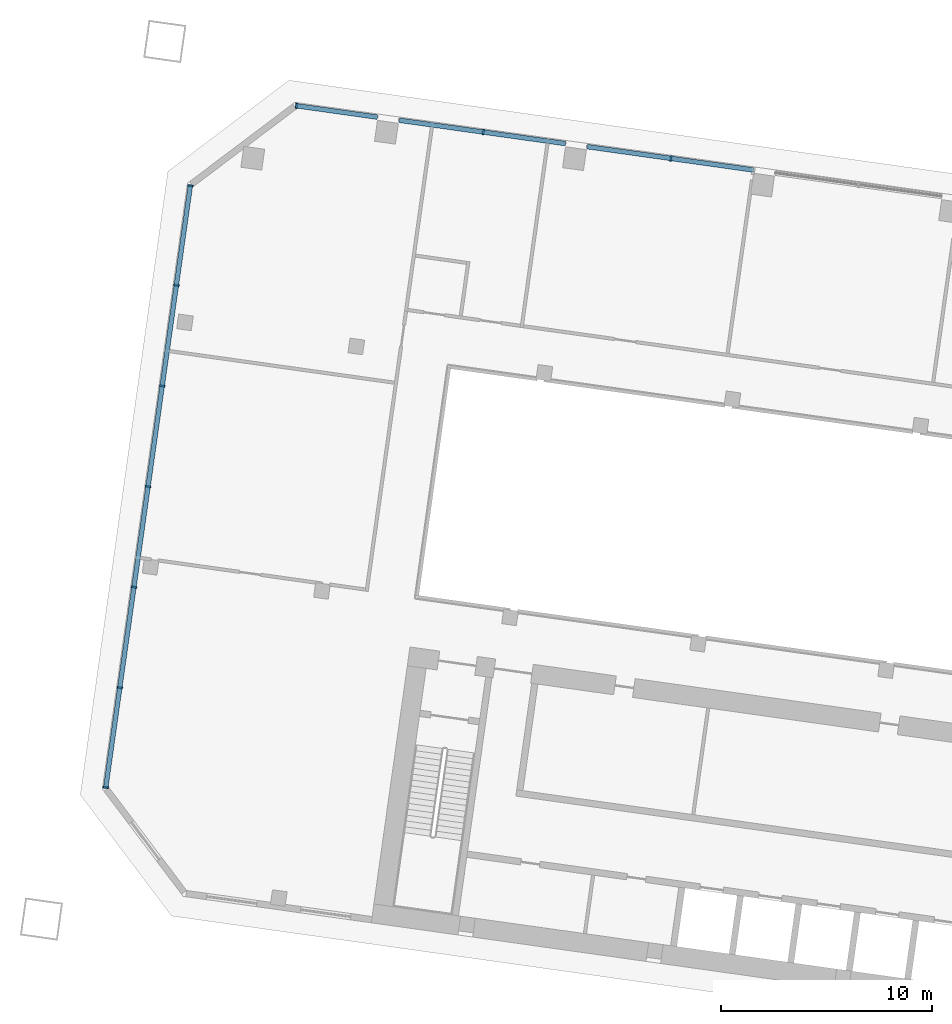
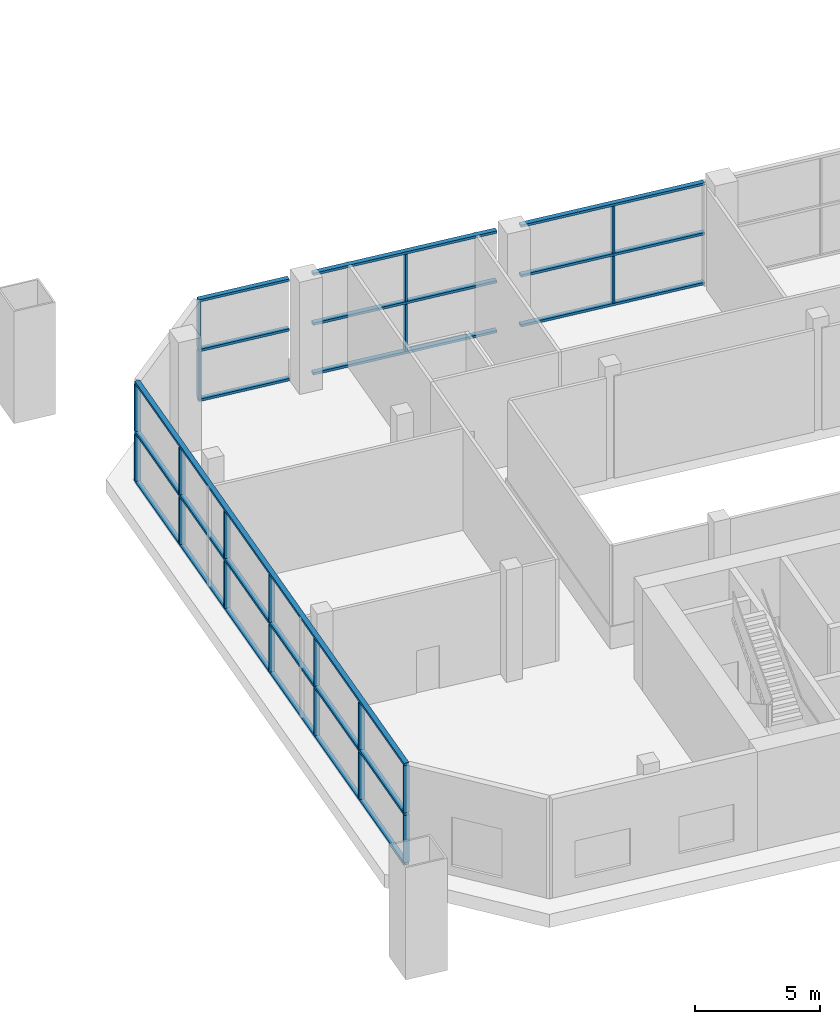
# One storey, part 2 of 23: 32 members, 2 elements without a shape of their own.
"""IFC4 building model written with IfcOpenShell, lengths in metres."""

from ifc_helpers import new_model, si_unit, direction, frame, origin, origin_2d, place, context, subcontext, project, spatial, rectangle, extrude, material, material_profile, profile_set, type_object, element, aggregate, save


model = new_model("IFC4")

# Units and contexts
model_context = context("Model", 3, precision=1e-05, world=origin(), true_north=direction((0.0, 1.0)))
body_context = subcontext(model_context, "Body", "Model", "MODEL_VIEW")
ifc_project = project(units=[si_unit("LENGTHUNIT", "METRE"), si_unit("AREAUNIT", "SQUARE_METRE"), si_unit("VOLUMEUNIT", "CUBIC_METRE"), si_unit("PLANEANGLEUNIT", "RADIAN"), si_unit("MASSUNIT", "GRAM", prefix="KILO")], contexts=[model_context])

# Site, building, storey
site_placement = place(None, origin())
site = spatial("IfcSite", under=ifc_project, at=site_placement, CompositionType="ELEMENT")
building_placement = place(site_placement, origin())
building = spatial("IfcBuilding", under=site, at=building_placement, Name="Mirante Cascada Hotel Towers", CompositionType="ELEMENT")
storey_placement = place(building_placement, frame((0.0, 0.0, 23.5)))
storey = spatial("IfcBuildingStorey", under=building, at=storey_placement, Name="L03", CompositionType="ELEMENT", Elevation=23.5)

# Curtain wall, members
ifc_material_1 = material(Name="Aluminium mullion and transom frame with clear laminated glass", Category="aluminium")
curtain_wall_type = type_object("IfcCurtainWallType", Name="Podium curtain wall ECW3", PredefinedType="NOTDEFINED", material=ifc_material_1)
curtain_wall_1_placement = place(storey_placement, origin())
curtain_wall_1 = element("IfcCurtainWall", 1, at=curtain_wall_1_placement, inside=storey, type_object=curtain_wall_type, Name="Front podium glazing T1 L03", PredefinedType="NOTDEFINED")
ifc_material_2 = material(Name="Anodised aluminium extrusion", Category="aluminium")
ifc_material_profile_1 = material_profile(ifc_material_2, rectangle(XDim=0.26, YDim=0.08, at=origin_2d()), Name="ECW3 MULLION 80x260")
ifc_profile_set_1 = profile_set([ifc_material_profile_1], Name="Anodised aluminium extrusion")
member_type_1 = type_object("IfcMemberType", Name="ECW3 mullion 80x260", PredefinedType="MULLION", material=ifc_profile_set_1)
member_1_placement = place(storey_placement, frame((-94.1185, 26.0465, 0.12), z_axis=(0.0, 0.0, 1.0), x_axis=(0.1391731, 0.9902681, 0.0)))
member_1 = element("IfcMember", 2, at=member_1_placement, type_object=member_type_1, Name="ECW3 mullion 1", PredefinedType="MULLION", context=body_context, shape_type="SweptSolid", body=[
    extrude(rectangle(XDim=0.26, YDim=0.08, at=origin_2d()), origin(), (0.0, 0.0, 1.0), 2.32),
])
member_2_placement = place(storey_placement, frame((-94.1185, 26.0465, 2.56), z_axis=(0.0, 0.0, 1.0), x_axis=(0.1391731, 0.9902681, 0.0)))
member_2 = element("IfcMember", 3, at=member_2_placement, type_object=member_type_1, Name="ECW3 mullion 1", PredefinedType="MULLION", context=body_context, shape_type="SweptSolid", body=[
    extrude(rectangle(XDim=0.26, YDim=0.08, at=origin_2d()), origin(), (0.0, 0.0, 1.0), 2.32),
])
member_3_placement = place(storey_placement, frame((-85.2633, 24.802, 0.12), z_axis=(0.0, 0.0, 1.0), x_axis=(0.1391731, 0.9902681, 0.0)))
member_3 = element("IfcMember", 4, at=member_3_placement, type_object=member_type_1, Name="ECW3 mullion 3", PredefinedType="MULLION", context=body_context, shape_type="SweptSolid", body=[
    extrude(rectangle(XDim=0.26, YDim=0.08, at=origin_2d()), origin(), (0.0, 0.0, 1.0), 2.32),
])
member_4_placement = place(storey_placement, frame((-85.2633, 24.802, 2.56), z_axis=(0.0, 0.0, 1.0), x_axis=(0.1391731, 0.9902681, 0.0)))
member_4 = element("IfcMember", 5, at=member_4_placement, type_object=member_type_1, Name="ECW3 mullion 3", PredefinedType="MULLION", context=body_context, shape_type="SweptSolid", body=[
    extrude(rectangle(XDim=0.26, YDim=0.08, at=origin_2d()), origin(), (0.0, 0.0, 1.0), 2.32),
])
member_5_placement = place(storey_placement, frame((-76.3685, 23.5519, 0.12), z_axis=(0.0, 0.0, 1.0), x_axis=(0.1391731, 0.9902681, 0.0)))
member_5 = element("IfcMember", 6, at=member_5_placement, type_object=member_type_1, Name="ECW3 mullion 5", PredefinedType="MULLION", context=body_context, shape_type="SweptSolid", body=[
    extrude(rectangle(XDim=0.26, YDim=0.08, at=origin_2d()), origin(), (0.0, 0.0, 1.0), 2.32),
])
member_6_placement = place(storey_placement, frame((-76.3685, 23.5519, 2.56), z_axis=(0.0, 0.0, 1.0), x_axis=(0.1391731, 0.9902681, 0.0)))
member_6 = element("IfcMember", 7, at=member_6_placement, type_object=member_type_1, Name="ECW3 mullion 5", PredefinedType="MULLION", context=body_context, shape_type="SweptSolid", body=[
    extrude(rectangle(XDim=0.26, YDim=0.08, at=origin_2d()), origin(), (0.0, 0.0, 1.0), 2.32),
])

curtain_wall_2_placement = place(storey_placement, origin())
curtain_wall_2 = element("IfcCurtainWall", 8, at=curtain_wall_2_placement, inside=storey, type_object=curtain_wall_type, Name="Outer end podium glazing T1 L03", PredefinedType="NOTDEFINED")
member_7_placement = place(storey_placement, frame((-103.1546, -6.2582, 0.12), z_axis=(0.0, 0.0, 1.0), x_axis=(-0.9902681, 0.1391731, 0.0)))
member_7 = element("IfcMember", 9, at=member_7_placement, type_object=member_type_1, Name="ECW3 mullion 1", PredefinedType="MULLION", context=body_context, shape_type="SweptSolid", body=[
    extrude(rectangle(XDim=0.26, YDim=0.08, at=origin_2d()), origin(), (0.0, 0.0, 1.0), 2.32),
])
member_8_placement = place(storey_placement, frame((-103.1546, -6.2582, 2.56), z_axis=(0.0, 0.0, 1.0), x_axis=(-0.9902681, 0.1391731, 0.0)))
member_8 = element("IfcMember", 10, at=member_8_placement, type_object=member_type_1, Name="ECW3 mullion 1", PredefinedType="MULLION", context=body_context, shape_type="SweptSolid", body=[
    extrude(rectangle(XDim=0.26, YDim=0.08, at=origin_2d()), origin(), (0.0, 0.0, 1.0), 2.32),
])
member_9_placement = place(storey_placement, frame((-102.4903, -1.532, 0.12), z_axis=(0.0, 0.0, 1.0), x_axis=(-0.9902681, 0.1391731, 0.0)))
member_9 = element("IfcMember", 11, at=member_9_placement, type_object=member_type_1, Name="ECW3 mullion 2", PredefinedType="MULLION", context=body_context, shape_type="SweptSolid", body=[
    extrude(rectangle(XDim=0.26, YDim=0.08, at=origin_2d()), origin(), (0.0, 0.0, 1.0), 2.32),
])
member_10_placement = place(storey_placement, frame((-102.4903, -1.532, 2.56), z_axis=(0.0, 0.0, 1.0), x_axis=(-0.9902681, 0.1391731, 0.0)))
member_10 = element("IfcMember", 12, at=member_10_placement, type_object=member_type_1, Name="ECW3 mullion 2", PredefinedType="MULLION", context=body_context, shape_type="SweptSolid", body=[
    extrude(rectangle(XDim=0.26, YDim=0.08, at=origin_2d()), origin(), (0.0, 0.0, 1.0), 2.32),
])
member_11_placement = place(storey_placement, frame((-101.8205, 3.2338, 0.12), z_axis=(0.0, 0.0, 1.0), x_axis=(-0.9902681, 0.1391731, 0.0)))
member_11 = element("IfcMember", 13, at=member_11_placement, type_object=member_type_1, Name="ECW3 mullion 3", PredefinedType="MULLION", context=body_context, shape_type="SweptSolid", body=[
    extrude(rectangle(XDim=0.26, YDim=0.08, at=origin_2d()), origin(), (0.0, 0.0, 1.0), 2.32),
])
member_12_placement = place(storey_placement, frame((-101.8205, 3.2338, 2.56), z_axis=(0.0, 0.0, 1.0), x_axis=(-0.9902681, 0.1391731, 0.0)))
member_12 = element("IfcMember", 14, at=member_12_placement, type_object=member_type_1, Name="ECW3 mullion 3", PredefinedType="MULLION", context=body_context, shape_type="SweptSolid", body=[
    extrude(rectangle(XDim=0.26, YDim=0.08, at=origin_2d()), origin(), (0.0, 0.0, 1.0), 2.32),
])
member_13_placement = place(storey_placement, frame((-101.1508, 7.9996, 0.12), z_axis=(0.0, 0.0, 1.0), x_axis=(-0.9902681, 0.1391731, 0.0)))
member_13 = element("IfcMember", 15, at=member_13_placement, type_object=member_type_1, Name="ECW3 mullion 4", PredefinedType="MULLION", context=body_context, shape_type="SweptSolid", body=[
    extrude(rectangle(XDim=0.26, YDim=0.08, at=origin_2d()), origin(), (0.0, 0.0, 1.0), 2.32),
])
member_14_placement = place(storey_placement, frame((-101.1508, 7.9996, 2.56), z_axis=(0.0, 0.0, 1.0), x_axis=(-0.9902681, 0.1391731, 0.0)))
member_14 = element("IfcMember", 16, at=member_14_placement, type_object=member_type_1, Name="ECW3 mullion 4", PredefinedType="MULLION", context=body_context, shape_type="SweptSolid", body=[
    extrude(rectangle(XDim=0.26, YDim=0.08, at=origin_2d()), origin(), (0.0, 0.0, 1.0), 2.32),
])
member_15_placement = place(storey_placement, frame((-100.481, 12.7654, 0.12), z_axis=(0.0, 0.0, 1.0), x_axis=(-0.9902681, 0.1391731, 0.0)))
member_15 = element("IfcMember", 17, at=member_15_placement, type_object=member_type_1, Name="ECW3 mullion 5", PredefinedType="MULLION", context=body_context, shape_type="SweptSolid", body=[
    extrude(rectangle(XDim=0.26, YDim=0.08, at=origin_2d()), origin(), (0.0, 0.0, 1.0), 2.32),
])
member_16_placement = place(storey_placement, frame((-100.481, 12.7654, 2.56), z_axis=(0.0, 0.0, 1.0), x_axis=(-0.9902681, 0.1391731, 0.0)))
member_16 = element("IfcMember", 18, at=member_16_placement, type_object=member_type_1, Name="ECW3 mullion 5", PredefinedType="MULLION", context=body_context, shape_type="SweptSolid", body=[
    extrude(rectangle(XDim=0.26, YDim=0.08, at=origin_2d()), origin(), (0.0, 0.0, 1.0), 2.32),
])
member_17_placement = place(storey_placement, frame((-99.8112, 17.5312, 0.12), z_axis=(0.0, 0.0, 1.0), x_axis=(-0.9902681, 0.1391731, 0.0)))
member_17 = element("IfcMember", 19, at=member_17_placement, type_object=member_type_1, Name="ECW3 mullion 6", PredefinedType="MULLION", context=body_context, shape_type="SweptSolid", body=[
    extrude(rectangle(XDim=0.26, YDim=0.08, at=origin_2d()), origin(), (0.0, 0.0, 1.0), 2.32),
])
member_18_placement = place(storey_placement, frame((-99.8112, 17.5312, 2.56), z_axis=(0.0, 0.0, 1.0), x_axis=(-0.9902681, 0.1391731, 0.0)))
member_18 = element("IfcMember", 20, at=member_18_placement, type_object=member_type_1, Name="ECW3 mullion 6", PredefinedType="MULLION", context=body_context, shape_type="SweptSolid", body=[
    extrude(rectangle(XDim=0.26, YDim=0.08, at=origin_2d()), origin(), (0.0, 0.0, 1.0), 2.32),
])
member_19_placement = place(storey_placement, frame((-99.147, 22.2573, 0.12), z_axis=(0.0, 0.0, 1.0), x_axis=(-0.9902681, 0.1391731, 0.0)))
member_19 = element("IfcMember", 21, at=member_19_placement, type_object=member_type_1, Name="ECW3 mullion 7", PredefinedType="MULLION", context=body_context, shape_type="SweptSolid", body=[
    extrude(rectangle(XDim=0.26, YDim=0.08, at=origin_2d()), origin(), (0.0, 0.0, 1.0), 2.32),
])
member_20_placement = place(storey_placement, frame((-99.147, 22.2573, 2.56), z_axis=(0.0, 0.0, 1.0), x_axis=(-0.9902681, 0.1391731, 0.0)))
member_20 = element("IfcMember", 22, at=member_20_placement, type_object=member_type_1, Name="ECW3 mullion 7", PredefinedType="MULLION", context=body_context, shape_type="SweptSolid", body=[
    extrude(rectangle(XDim=0.26, YDim=0.08, at=origin_2d()), origin(), (0.0, 0.0, 1.0), 2.32),
])

# Member
ifc_material_3 = material(Name="Anodised aluminium extrusion", Category="aluminium")
ifc_material_profile_2 = material_profile(ifc_material_3, rectangle(XDim=0.22, YDim=0.12, at=origin_2d()), Name="ECW3 TRANSOM 120x220")
ifc_profile_set_2 = profile_set([ifc_material_profile_2], Name="Anodised aluminium extrusion")
member_type_2 = type_object("IfcMemberType", Name="ECW3 transom 120x220", PredefinedType="USERDEFINED", material=ifc_profile_set_2)
member_21_placement = place(storey_placement, frame((-94.1582, 26.0521, 0.06), z_axis=(0.990267, -0.1391805, 0.0), x_axis=(0.1391805, 0.990267, 0.0)))
member_21 = element("IfcMember", 23, at=member_21_placement, type_object=member_type_2, Name="ECW3 sill transom", ObjectType="TRANSOM", PredefinedType="USERDEFINED", context=body_context, shape_type="SweptSolid", body=[
    extrude(rectangle(XDim=0.22, YDim=0.12, at=origin_2d()), origin(), (0.0, 0.0, 1.0), 3.9179),
])

member_22_placement = place(storey_placement, frame((-89.2485, 25.3621, 0.06), z_axis=(0.9902683, -0.1391715, 0.0), x_axis=(0.1391715, 0.9902683, 0.0)))
member_22 = element("IfcMember", 24, at=member_22_placement, type_object=member_type_2, Name="ECW3 sill transom", ObjectType="TRANSOM", PredefinedType="USERDEFINED", context=body_context, shape_type="SweptSolid", body=[
    extrude(rectangle(XDim=0.22, YDim=0.12, at=origin_2d()), origin(), (0.0, 0.0, 1.0), 7.96),
])

member_23_placement = place(storey_placement, frame((-80.3361, 24.1095, 0.06), z_axis=(0.9902683, -0.1391715, 0.0), x_axis=(0.1391715, 0.9902683, 0.0)))
member_23 = element("IfcMember", 25, at=member_23_placement, type_object=member_type_2, Name="ECW3 sill transom", ObjectType="TRANSOM", PredefinedType="USERDEFINED", context=body_context, shape_type="SweptSolid", body=[
    extrude(rectangle(XDim=0.22, YDim=0.12, at=origin_2d()), origin(), (0.0, 0.0, 1.0), 7.96),
])

member_24_placement = place(storey_placement, frame((-94.1582, 26.0521, 2.5), z_axis=(0.990267, -0.1391805, 0.0), x_axis=(0.1391805, 0.990267, 0.0)))
member_24 = element("IfcMember", 26, at=member_24_placement, type_object=member_type_2, Name="ECW3 intermediate transom", ObjectType="TRANSOM", PredefinedType="USERDEFINED", context=body_context, shape_type="SweptSolid", body=[
    extrude(rectangle(XDim=0.22, YDim=0.12, at=origin_2d()), origin(), (0.0, 0.0, 1.0), 3.9179),
])

member_25_placement = place(storey_placement, frame((-89.2485, 25.3621, 2.5), z_axis=(0.9902683, -0.1391715, 0.0), x_axis=(0.1391715, 0.9902683, 0.0)))
member_25 = element("IfcMember", 27, at=member_25_placement, type_object=member_type_2, Name="ECW3 intermediate transom", ObjectType="TRANSOM", PredefinedType="USERDEFINED", context=body_context, shape_type="SweptSolid", body=[
    extrude(rectangle(XDim=0.22, YDim=0.12, at=origin_2d()), origin(), (0.0, 0.0, 1.0), 7.96),
])

member_26_placement = place(storey_placement, frame((-80.3361, 24.1095, 2.5), z_axis=(0.9902683, -0.1391715, 0.0), x_axis=(0.1391715, 0.9902683, 0.0)))
member_26 = element("IfcMember", 28, at=member_26_placement, type_object=member_type_2, Name="ECW3 intermediate transom", ObjectType="TRANSOM", PredefinedType="USERDEFINED", context=body_context, shape_type="SweptSolid", body=[
    extrude(rectangle(XDim=0.22, YDim=0.12, at=origin_2d()), origin(), (0.0, 0.0, 1.0), 7.96),
])

member_27_placement = place(storey_placement, frame((-94.1582, 26.0521, 4.94), z_axis=(0.990267, -0.1391805, 0.0), x_axis=(0.1391805, 0.990267, 0.0)))
member_27 = element("IfcMember", 29, at=member_27_placement, type_object=member_type_2, Name="ECW3 head transom", ObjectType="TRANSOM", PredefinedType="USERDEFINED", context=body_context, shape_type="SweptSolid", body=[
    extrude(rectangle(XDim=0.22, YDim=0.12, at=origin_2d()), origin(), (0.0, 0.0, 1.0), 3.9179),
])

member_28_placement = place(storey_placement, frame((-89.2485, 25.3621, 4.94), z_axis=(0.9902683, -0.1391715, 0.0), x_axis=(0.1391715, 0.9902683, 0.0)))
member_28 = element("IfcMember", 30, at=member_28_placement, type_object=member_type_2, Name="ECW3 head transom", ObjectType="TRANSOM", PredefinedType="USERDEFINED", context=body_context, shape_type="SweptSolid", body=[
    extrude(rectangle(XDim=0.22, YDim=0.12, at=origin_2d()), origin(), (0.0, 0.0, 1.0), 7.96),
])

member_29_placement = place(storey_placement, frame((-80.3361, 24.1095, 4.94), z_axis=(0.9902683, -0.1391715, 0.0), x_axis=(0.1391715, 0.9902683, 0.0)))
member_29 = element("IfcMember", 31, at=member_29_placement, type_object=member_type_2, Name="ECW3 head transom", ObjectType="TRANSOM", PredefinedType="USERDEFINED", context=body_context, shape_type="SweptSolid", body=[
    extrude(rectangle(XDim=0.22, YDim=0.12, at=origin_2d()), origin(), (0.0, 0.0, 1.0), 7.96),
])

aggregate(curtain_wall_1, [member_21, member_22, member_23, member_24, member_25, member_26, member_27, member_28, member_29, member_1, member_2, member_3, member_4, member_5, member_6])

member_30_placement = place(storey_placement, frame((-103.1601, -6.2978, 0.06), z_axis=(0.1391723, 0.9902682, 0.0), x_axis=(-0.9902682, 0.1391723, 0.0)))
member_30 = element("IfcMember", 32, at=member_30_placement, type_object=member_type_2, Name="ECW3 sill transom", ObjectType="TRANSOM", PredefinedType="USERDEFINED", context=body_context, shape_type="SweptSolid", body=[
    extrude(rectangle(XDim=0.22, YDim=0.12, at=origin_2d()), origin(), (0.0, 0.0, 1.0), 28.8757),
])

member_31_placement = place(storey_placement, frame((-103.1601, -6.2978, 2.5), z_axis=(0.1391723, 0.9902682, 0.0), x_axis=(-0.9902682, 0.1391723, 0.0)))
member_31 = element("IfcMember", 33, at=member_31_placement, type_object=member_type_2, Name="ECW3 intermediate transom", ObjectType="TRANSOM", PredefinedType="USERDEFINED", context=body_context, shape_type="SweptSolid", body=[
    extrude(rectangle(XDim=0.22, YDim=0.12, at=origin_2d()), origin(), (0.0, 0.0, 1.0), 28.8757),
])

member_32_placement = place(storey_placement, frame((-103.1601, -6.2978, 4.94), z_axis=(0.1391723, 0.9902682, 0.0), x_axis=(-0.9902682, 0.1391723, 0.0)))
member_32 = element("IfcMember", 34, at=member_32_placement, type_object=member_type_2, Name="ECW3 head transom", ObjectType="TRANSOM", PredefinedType="USERDEFINED", context=body_context, shape_type="SweptSolid", body=[
    extrude(rectangle(XDim=0.22, YDim=0.12, at=origin_2d()), origin(), (0.0, 0.0, 1.0), 28.8757),
])

aggregate(curtain_wall_2, [member_30, member_31, member_32, member_7, member_8, member_9, member_10, member_11, member_12, member_13, member_14, member_15, member_16, member_17, member_18, member_19, member_20])

save(model, "model.ifc")
